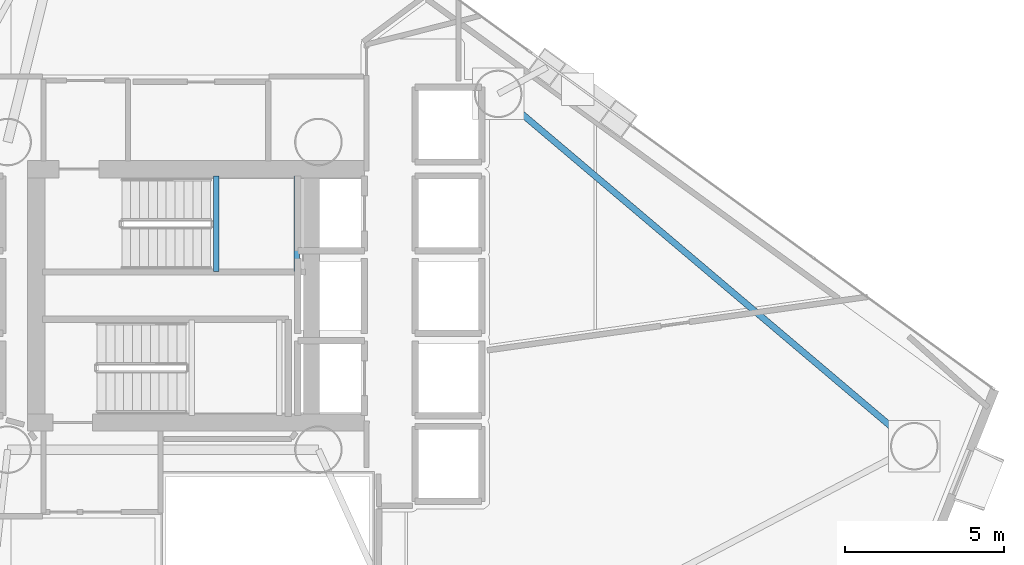
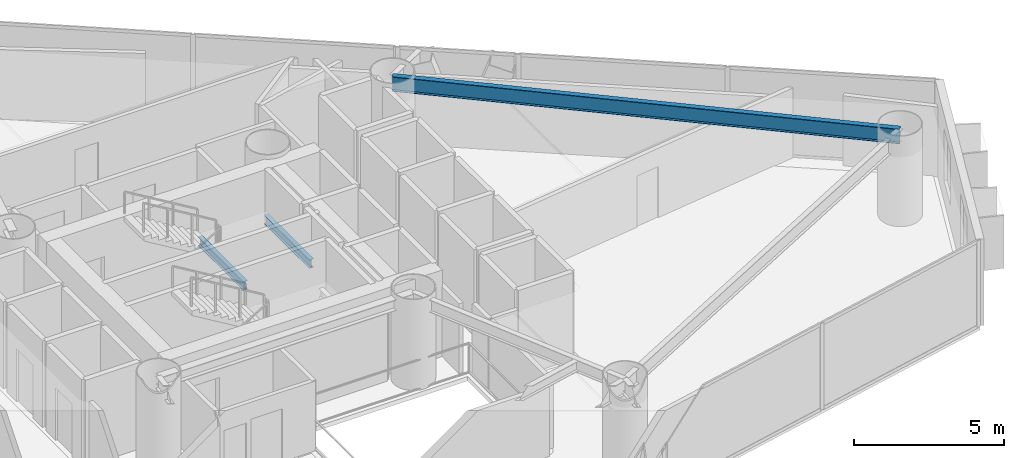
# One storey, part 7 of 18: 3 beams.
"""IFC4 building model written with IfcOpenShell, lengths in metres."""

from ifc_helpers import new_model, si_unit, direction, frame, origin, origin_2d, place, context, subcontext, project, spatial, i_section, extrude, material, material_profile, profile_set, type_object, element, save


model = new_model("IFC4")

# Units and contexts
model_context = context("Model", 3, precision=1e-05, world=origin(), true_north=direction((0.0, 1.0)))
body_context = subcontext(model_context, "Body", "Model", "MODEL_VIEW")
ifc_project = project(units=[si_unit("LENGTHUNIT", "METRE"), si_unit("AREAUNIT", "SQUARE_METRE"), si_unit("VOLUMEUNIT", "CUBIC_METRE"), si_unit("PLANEANGLEUNIT", "RADIAN"), si_unit("MASSUNIT", "GRAM", prefix="KILO")], contexts=[model_context])

# Site, building, storey
site_placement = place(None, origin())
site = spatial("IfcSite", under=ifc_project, at=site_placement, CompositionType="ELEMENT")
building_placement = place(site_placement, origin())
building = spatial("IfcBuilding", under=site, at=building_placement, Name="Qianvela Tower", CompositionType="ELEMENT")
storey_placement = place(building_placement, frame((0.0, 0.0, 97.800048828125)))
storey = spatial("IfcBuildingStorey", under=building, at=storey_placement, Name="L24", CompositionType="ELEMENT", Elevation=97.800048828125)

# Beams
ifc_material_1 = material(Name="Steel Q355B", Category="steel")
ifc_material_profile_1 = material_profile(ifc_material_1, i_section(OverallWidth=0.175048828125, OverallDepth=0.35009765625, WebThickness=0.007080078125, FlangeThickness=0.010986328125, at=origin_2d()), Name="HN350x175x7x11")
ifc_profile_set_1 = profile_set([ifc_material_profile_1], Name="Steel Q355B")
beam_type_1 = type_object("IfcBeamType", Name="BM-HN350-JOIST", PredefinedType="JOIST", material=ifc_profile_set_1)
for number, where, z_axis, x_axis, name in (
    (1, (35.179931640625, 29.4599609375, 1.474853515625), (0.0, 1.0, 0.0), (-1.0, 0.0, 0.0), "L24 Stair ST-1 Landing Support Beam 1.1"),
    (2, (37.719970703125, 29.4599609375, 1.474853515625), (0.0, 1.0, 0.0), (-1.0, 0.0, 0.0), "L24 Stair ST-1 Landing Support Beam 1.2"),
):
    element("IfcBeam", number, at=place(storey_placement, frame(where, z_axis=z_axis, x_axis=x_axis)), inside=storey, type_object=beam_type_1, Name=name, PredefinedType="JOIST", context=body_context, shape_type="SweptSolid", body=[
        extrude(i_section(OverallWidth=0.175048828125, OverallDepth=0.35009765625, WebThickness=0.007080078125, FlangeThickness=0.010986328125, at=origin_2d()), origin(), (0.0, 0.0, 1.0), 3.02001953125),
    ])
ifc_material_2 = material(Name="Steel Q355B", Category="steel")
ifc_material_profile_2 = material_profile(ifc_material_2, i_section(OverallWidth=0.199951171875, OverallDepth=0.60009765625, WebThickness=0.010986328125, FlangeThickness=0.01708984375, at=origin_2d()), Name="HN600x200x11x17")
ifc_profile_set_2 = profile_set([ifc_material_profile_2], Name="Steel Q355B")
beam_type_2 = type_object("IfcBeamType", Name="BM-HN600-GIRD", PredefinedType="BEAM", material=ifc_profile_set_2)
beam_placement = place(storey_placement, frame((57.194091796875, 23.9580078125, 3.218017578125), z_axis=(-0.763158437154, 0.646211420358, 0.0), x_axis=(-0.646211420358, -0.763158437154, 0.0)))
element("IfcBeam", 3, at=beam_placement, inside=storey, type_object=beam_type_2, Name="L24 Perimeter Ring Spandrel Girder 1", PredefinedType="BEAM", context=body_context, shape_type="SweptSolid", body=[
    extrude(i_section(OverallWidth=0.199951171875, OverallDepth=0.60009765625, WebThickness=0.010986328125, FlangeThickness=0.01708984375, at=origin_2d()), origin(), (0.0, 0.0, 1.0), 17.19580078125),
])

save(model, "model.ifc")
